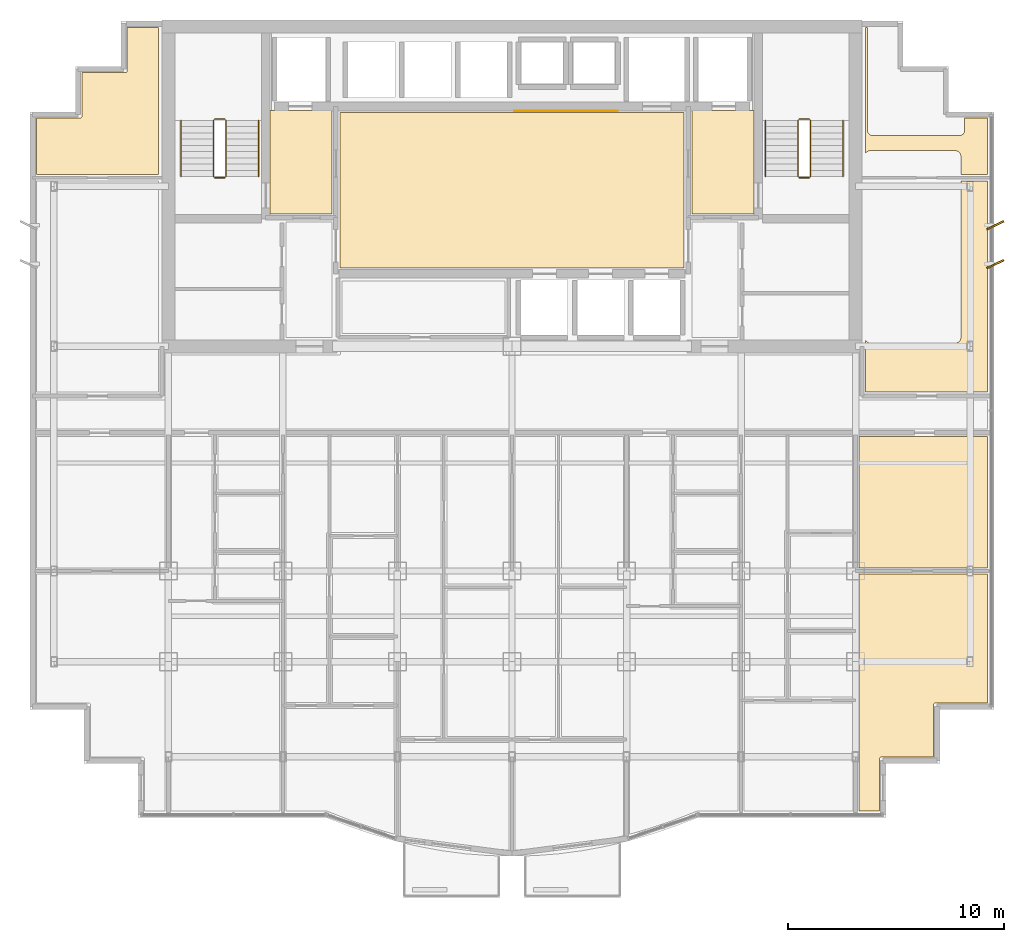
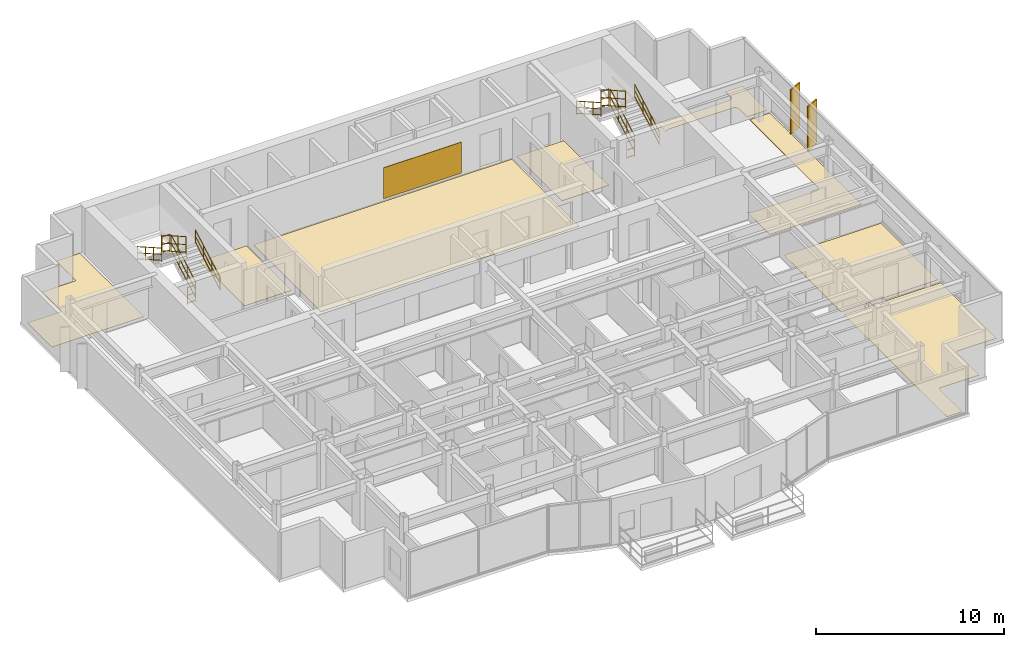
# One storey, part 13 of 13: 12 railings, 9 coverings, 2 shading devices.
"""IFC4 building model written with IfcOpenShell, lengths in metres."""

from ifc_helpers import new_model, si_unit, direction, frame, origin, origin_2d, place, context, subcontext, project, spatial, polyline, rectangle, circle, outline, extrude, source, transform, mapped, material, layer, layer_set, type_object, element, save


model = new_model("IFC4")

# Units and contexts
model_context = context("Model", 3, precision=1e-05, world=origin(), true_north=direction((0.0, 1.0)))
body_context = subcontext(model_context, "Body", "Model", "MODEL_VIEW")
ifc_project = project(units=[si_unit("LENGTHUNIT", "METRE"), si_unit("AREAUNIT", "SQUARE_METRE"), si_unit("VOLUMEUNIT", "CUBIC_METRE"), si_unit("PLANEANGLEUNIT", "RADIAN"), si_unit("MASSUNIT", "GRAM", prefix="KILO")], contexts=[model_context])

# Site, building, storey
site_placement = place(None, origin())
site = spatial("IfcSite", under=ifc_project, at=site_placement, CompositionType="ELEMENT")
building_placement = place(site_placement, origin())
building = spatial("IfcBuilding", under=site, at=building_placement, Name="Qianlan Lanfeng Residences", CompositionType="ELEMENT")
storey_placement = place(building_placement, frame((0.0, 0.0, 182.10009765625)))
storey = spatial("IfcBuildingStorey", under=building, at=storey_placement, Name="L50", CompositionType="ELEMENT", Elevation=182.10009765625)

# Coverings
ifc_material_1 = material(Name="Anodised Bronze Feature Wall Cladding")
ifc_layer_1 = layer(ifc_material_1, 0.02490234375)
ifc_layer_set_1 = layer_set([ifc_layer_1], Name="Anodised Bronze Feature Wall Cladding")
covering_type_1 = type_object("IfcCoveringType", Name="CLD-BRZ-25", PredefinedType="CLADDING", material=ifc_layer_set_1)
covering_1_placement = place(storey_placement, frame((0.0, 0.0, 0.14990234375)))
element("IfcCovering", 1, at=covering_1_placement, inside=storey, type_object=covering_type_1, Name="L50 Lift Lobby Bronze Feature Cladding", PredefinedType="CLADDING", context=body_context, shape_type="SweptSolid", body=[
    extrude(outline(polyline([(26.60009765625, 36.074951171875), (31.39990234375, 36.074951171875), (31.39990234375, 36.10009765625), (26.60009765625, 36.10009765625), (26.60009765625, 36.074951171875)])), origin(), (0.0, 0.0, 1.0), 2.02001953125),
])
ifc_material_2 = material(Name="Honed Taitung Granite Stone Flooring", Category="masonry")
ifc_layer_2 = layer(ifc_material_2, 0.030029296875)
ifc_layer_set_2 = layer_set([ifc_layer_2], Name="Honed Taitung Granite Stone Flooring")
covering_type_2 = type_object("IfcCoveringType", Name="FLR-STN-30", PredefinedType="FLOORING", material=ifc_layer_set_2)
covering_2_placement = place(storey_placement, origin())
element("IfcCovering", 2, at=covering_2_placement, inside=storey, type_object=covering_type_2, Name="L50 Firefighting Lift Lobby Floor Finish", PredefinedType="FLOORING", context=body_context, shape_type="SweptSolid", body=[
    extrude(outline(polyline([(15.2900390625, 31.320068359375), (18.179931640625, 31.320068359375), (18.179931640625, 36.110107421875), (15.2900390625, 36.110107421875), (15.2900390625, 31.320068359375)])), origin(), (0.0, 0.0, 1.0), 0.02978515625),
])
covering_3_placement = place(storey_placement, origin())
element("IfcCovering", 3, at=covering_3_placement, inside=storey, type_object=covering_type_2, Name="L50 Firefighting Lift Lobby Floor Finish", PredefinedType="FLOORING", context=body_context, shape_type="SweptSolid", body=[
    extrude(outline(polyline([(34.820068359375, 31.320068359375), (37.7099609375, 31.320068359375), (37.7099609375, 36.110107421875), (34.820068359375, 36.110107421875), (34.820068359375, 31.320068359375)])), origin(), (0.0, 0.0, 1.0), 0.02978515625),
])
covering_4_placement = place(storey_placement, origin())
element("IfcCovering", 4, at=covering_4_placement, inside=storey, type_object=covering_type_2, Name="L50 Lift Lobby Floor Finish", PredefinedType="FLOORING", context=body_context, shape_type="SweptSolid", body=[
    extrude(outline(polyline([(18.550048828125, 28.820068359375), (34.449951171875, 28.820068359375), (34.449951171875, 36.010009765625), (18.550048828125, 36.010009765625), (18.550048828125, 28.820068359375)])), origin(), (0.0, 0.0, 1.0), 0.02978515625),
])
ifc_material_3 = material(Name="Engineered Smoked Oak Timber Flooring", Category="wood")
ifc_layer_3 = layer(ifc_material_3, 0.02197265625)
ifc_layer_set_3 = layer_set([ifc_layer_3], Name="Engineered Smoked Oak Timber Flooring")
covering_type_3 = type_object("IfcCoveringType", Name="FLR-TIM-22", PredefinedType="FLOORING", material=ifc_layer_set_3)
covering_5_placement = place(storey_placement, origin())
element("IfcCovering", 5, at=covering_5_placement, inside=storey, type_object=covering_type_3, Name="L50 Sunroom Floor Finish", PredefinedType="FLOORING", context=body_context, shape_type="SweptSolid", body=[
    extrude(outline(polyline([(48.510009765625, 14.64990234375), (42.56005859375, 14.64990234375), (42.56005859375, 3.68994140625), (43.510009765625, 3.68994140625), (43.510009765625, 6.1201171875), (43.510009765625, 6.126953125), (43.510986328125, 6.134033203125), (43.512939453125, 6.139892578125), (43.514892578125, 6.14697265625), (43.51806640625, 6.153076171875), (43.52197265625, 6.158935546875), (43.52587890625, 6.1640625), (43.531005859375, 6.1689453125), (43.535888671875, 6.174072265625), (43.541015625, 6.177978515625), (43.547119140625, 6.181884765625), (43.552978515625, 6.18505859375), (43.56005859375, 6.18701171875), (43.56591796875, 6.18896484375), (43.572998046875, 6.18994140625), (43.580078125, 6.18994140625), (46.010009765625, 6.18994140625), (46.010009765625, 8.6201171875), (46.010009765625, 8.626953125), (46.010986328125, 8.634033203125), (46.012939453125, 8.639892578125), (46.014892578125, 8.64697265625), (46.01806640625, 8.653076171875), (46.02197265625, 8.658935546875), (46.02587890625, 8.6640625), (46.031005859375, 8.6689453125), (46.035888671875, 8.674072265625), (46.041015625, 8.677978515625), (46.047119140625, 8.681884765625), (46.052978515625, 8.68505859375), (46.06005859375, 8.68701171875), (46.06591796875, 8.68896484375), (46.072998046875, 8.68994140625), (46.080078125, 8.68994140625), (48.510009765625, 8.68994140625), (48.510009765625, 14.64990234375)])), origin(), (0.0, 0.0, 1.0), 0.02197265625),
])
covering_6_placement = place(storey_placement, origin())
element("IfcCovering", 6, at=covering_6_placement, inside=storey, type_object=covering_type_3, Name="L50 Private Study Floor Finish", PredefinedType="FLOORING", context=body_context, shape_type="SweptSolid", body=[
    extrude(outline(polyline([(48.510009765625, 21.030029296875), (42.56005859375, 21.030029296875), (42.56005859375, 14.949951171875), (48.510009765625, 14.949951171875), (48.510009765625, 21.030029296875)])), origin(), (0.0, 0.0, 1.0), 0.02197265625),
])
covering_7_placement = place(storey_placement, origin())
element("IfcCovering", 7, at=covering_7_placement, inside=storey, type_object=covering_type_3, Name="L50 Resident Lounge Floor Finish", PredefinedType="FLOORING", context=body_context, shape_type="SweptSolid", body=[
    extrude(outline(polyline([(4.489990234375, 33.14990234375), (10.14990234375, 33.14990234375), (10.14990234375, 39.9599609375), (8.68994140625, 39.9599609375), (8.68994140625, 37.929931640625), (8.68994140625, 37.923095703125), (8.68896484375, 37.916015625), (8.68701171875, 37.909912109375), (8.68505859375, 37.903076171875), (8.681884765625, 37.89697265625), (8.677978515625, 37.89111328125), (8.674072265625, 37.885986328125), (8.6689453125, 37.881103515625), (8.6640625, 37.8759765625), (8.658935546875, 37.8720703125), (8.653076171875, 37.867919921875), (8.64697265625, 37.864990234375), (8.639892578125, 37.863037109375), (8.634033203125, 37.861083984375), (8.626953125, 37.860107421875), (8.6201171875, 37.860107421875), (6.590087890625, 37.860107421875), (6.590087890625, 35.830078125), (6.590087890625, 35.822998046875), (6.589111328125, 35.81591796875), (6.5869140625, 35.81005859375), (6.5849609375, 35.802978515625), (6.58203125, 35.797119140625), (6.577880859375, 35.791015625), (6.573974609375, 35.785888671875), (6.569091796875, 35.781005859375), (6.56396484375, 35.77587890625), (6.55908203125, 35.77197265625), (6.552978515625, 35.76806640625), (6.547119140625, 35.764892578125), (6.5400390625, 35.762939453125), (6.533935546875, 35.760986328125), (6.527099609375, 35.760009765625), (6.52001953125, 35.760009765625), (4.489990234375, 35.760009765625), (4.489990234375, 33.14990234375)])), origin(), (0.0, 0.0, 1.0), 0.02197265625),
])
covering_8_placement = place(storey_placement, origin())
element("IfcCovering", 8, at=covering_8_placement, inside=storey, type_object=covering_type_3, Name="L50 Conservatory Salon Floor Finish", PredefinedType="FLOORING", context=body_context, shape_type="SweptSolid", body=[
    extrude(outline(polyline([(48.510009765625, 32.85009765625), (47.27001953125, 32.85009765625), (47.27001953125, 25.60009765625), (47.26904296875, 25.574951171875), (47.264892578125, 25.551025390625), (47.259033203125, 25.527099609375), (47.2509765625, 25.50390625), (47.239990234375, 25.48193359375), (47.22802734375, 25.4609375), (47.212890625, 25.44091796875), (47.197021484375, 25.423095703125), (47.178955078125, 25.406982421875), (47.158935546875, 25.39208984375), (47.137939453125, 25.3798828125), (47.115966796875, 25.368896484375), (47.093017578125, 25.361083984375), (47.069091796875, 25.35498046875), (47.044921875, 25.35107421875), (47.02001953125, 25.35009765625), (43.080078125, 25.35009765625), (43.054931640625, 25.35107421875), (43.031005859375, 25.35498046875), (43.007080078125, 25.361083984375), (42.98388671875, 25.368896484375), (42.9619140625, 25.3798828125), (42.94091796875, 25.39208984375), (42.9208984375, 25.406982421875), (42.903076171875, 25.423095703125), (42.886962890625, 25.44091796875), (42.8720703125, 25.4609375), (42.860107421875, 25.48193359375), (42.85009765625, 25.501953125), (42.85009765625, 23.080078125), (48.510009765625, 23.080078125), (48.510009765625, 32.85009765625)])), origin(), (0.0, 0.0, 1.0), 0.02197265625),
])
covering_9_placement = place(storey_placement, origin())
element("IfcCovering", 9, at=covering_9_placement, inside=storey, type_object=covering_type_3, Name="L50 Resident Lounge Floor Finish", PredefinedType="FLOORING", context=body_context, shape_type="SweptSolid", body=[
    extrude(outline(polyline([(42.85009765625, 34.097900390625), (42.860107421875, 34.117919921875), (42.8720703125, 34.138916015625), (42.886962890625, 34.158935546875), (42.903076171875, 34.177001953125), (42.9208984375, 34.193115234375), (42.94091796875, 34.2080078125), (42.9619140625, 34.219970703125), (42.98388671875, 34.23095703125), (43.007080078125, 34.239013671875), (43.031005859375, 34.2451171875), (43.054931640625, 34.2490234375), (43.080078125, 34.25), (47.02001953125, 34.25), (47.044921875, 34.2490234375), (47.069091796875, 34.2451171875), (47.093017578125, 34.239013671875), (47.115966796875, 34.23095703125), (47.137939453125, 34.219970703125), (47.158935546875, 34.2080078125), (47.178955078125, 34.193115234375), (47.197021484375, 34.177001953125), (47.212890625, 34.158935546875), (47.22802734375, 34.138916015625), (47.239990234375, 34.117919921875), (47.2509765625, 34.095947265625), (47.259033203125, 34.072998046875), (47.264892578125, 34.049072265625), (47.26904296875, 34.02490234375), (47.27001953125, 34.0), (47.27001953125, 33.14990234375), (48.510009765625, 33.14990234375), (48.510009765625, 35.760009765625), (47.449951171875, 35.760009765625), (47.449951171875, 35.199951171875), (47.448974609375, 35.175048828125), (47.445068359375, 35.15087890625), (47.43896484375, 35.126953125), (47.430908203125, 35.10400390625), (47.419921875, 35.08203125), (47.407958984375, 35.06103515625), (47.39306640625, 35.041015625), (47.376953125, 35.02294921875), (47.35888671875, 35.007080078125), (47.339111328125, 34.991943359375), (47.318115234375, 34.97998046875), (47.2958984375, 34.968994140625), (47.27294921875, 34.9609375), (47.2490234375, 34.955078125), (47.22509765625, 34.950927734375), (47.199951171875, 34.949951171875), (43.199951171875, 34.949951171875), (43.175048828125, 34.950927734375), (43.15087890625, 34.955078125), (43.126953125, 34.9609375), (43.10400390625, 34.968994140625), (43.08203125, 34.97998046875), (43.06103515625, 34.991943359375), (43.041015625, 35.007080078125), (43.02294921875, 35.02294921875), (43.007080078125, 35.041015625), (42.991943359375, 35.06103515625), (42.97998046875, 35.08203125), (42.968994140625, 35.10400390625), (42.9609375, 35.126953125), (42.955078125, 35.15087890625), (42.950927734375, 35.175048828125), (42.949951171875, 35.199951171875), (42.949951171875, 39.9599609375), (42.85009765625, 39.9599609375), (42.85009765625, 34.097900390625)])), origin(), (0.0, 0.0, 1.0), 0.02197265625),
])

# Railings
ifc_material_4 = material(Name="Painted Galvanised Steel Guardrail", Category="steel")
railing_type_1 = type_object("IfcRailingType", Name="GR-ST-1120", PredefinedType="GUARDRAIL", material=ifc_material_4)
railing_1_placement = place(storey_placement, frame((13.27001953125, 33.050048828125, 0.164794921875)))
element("IfcRailing", 10, at=railing_1_placement, inside=storey, type_object=railing_type_1, Name="L50 ST-1 stair guard 1", PredefinedType="GUARDRAIL", context=body_context, shape_type="SweptSolid", body=[
    extrude(circle(Radius=0.02392578125, at=origin_2d()), frame((0.0, 0.0, 0.083984375), z_axis=(0.0, 0.869137319866, 0.494570843475), x_axis=(-1.0, 0.0, 0.0)), (0.0, 0.0, 1.0), 3.0029296875),
    extrude(circle(Radius=0.02392578125, at=origin_2d()), frame((0.0, 0.0, 0.58251953125), z_axis=(0.0, 0.869137319866, 0.494570843475), x_axis=(-1.0, 0.0, 0.0)), (0.0, 0.0, 1.0), 3.0029296875),
    extrude(circle(Radius=0.02392578125, at=origin_2d()), frame((0.0, 0.0, 1.09619140625), z_axis=(0.0, 0.869137319866, 0.494570843475), x_axis=(-1.0, 0.0, 0.0)), (0.0, 0.0, 1.0), 3.0029296875),
    extrude(circle(Radius=0.02099609375, at=origin_2d()), origin(), (0.0, 0.0, 1.0), 1.072021484375),
    extrude(circle(Radius=0.02099609375, at=origin_2d()), frame((0.0, 0.869873046875, 0.4951171875)), (0.0, 0.0, 1.0), 1.072021484375),
    extrude(circle(Radius=0.02099609375, at=origin_2d()), frame((0.0, 1.739990234375, 0.989990234375)), (0.0, 0.0, 1.0), 1.072021484375),
    extrude(circle(Radius=0.02099609375, at=origin_2d()), frame((0.0, 2.60986328125, 1.485107421875)), (0.0, 0.0, 1.0), 1.072021484375),
])
railing_2_placement = place(storey_placement, frame((13.219970703125, 35.7099609375, 1.64990234375)))
element("IfcRailing", 11, at=railing_2_placement, inside=storey, type_object=railing_type_1, Name="L50 ST-1 stair guard 2", PredefinedType="GUARDRAIL", context=body_context, shape_type="SweptSolid", body=[
    extrude(circle(Radius=0.02392578125, at=origin_2d()), frame((0.0, 0.0, 0.083984375), z_axis=(-1.0, 0.0, 0.0), x_axis=(0.0, -1.0, 0.0)), (0.0, 0.0, 1.0), 0.47998046875),
    extrude(circle(Radius=0.02392578125, at=origin_2d()), frame((0.0, 0.0, 0.58251953125), z_axis=(-1.0, 0.0, 0.0), x_axis=(0.0, -1.0, 0.0)), (0.0, 0.0, 1.0), 0.47998046875),
    extrude(circle(Radius=0.02392578125, at=origin_2d()), frame((0.0, 0.0, 1.09619140625), z_axis=(-1.0, 0.0, 0.0), x_axis=(0.0, -1.0, 0.0)), (0.0, 0.0, 1.0), 0.47998046875),
    extrude(circle(Radius=0.02099609375, at=origin_2d()), origin(), (0.0, 0.0, 1.0), 1.072021484375),
    extrude(circle(Radius=0.02099609375, at=origin_2d()), frame((-0.47998046875, 0.0, 0.0)), (0.0, 0.0, 1.0), 1.072021484375),
])
railing_3_placement = place(storey_placement, frame((12.68994140625, 35.659912109375, 1.81494140625)))
element("IfcRailing", 12, at=railing_3_placement, inside=storey, type_object=railing_type_1, Name="L50 ST-1 stair guard 3", PredefinedType="GUARDRAIL", context=body_context, shape_type="SweptSolid", body=[
    extrude(circle(Radius=0.02392578125, at=origin_2d()), frame((0.0, 0.0, 0.083984375), z_axis=(0.0, -0.869172267526, 0.494509422927), x_axis=(1.0, 0.0, 0.0)), (0.0, 0.0, 1.0), 3.002685546875),
    extrude(circle(Radius=0.02392578125, at=origin_2d()), frame((0.0, 0.0, 0.58251953125), z_axis=(0.0, -0.869172267526, 0.494509422927), x_axis=(1.0, 0.0, 0.0)), (0.0, 0.0, 1.0), 3.002685546875),
    extrude(circle(Radius=0.02392578125, at=origin_2d()), frame((0.0, 0.0, 1.09619140625), z_axis=(0.0, -0.869172267526, 0.494509422927), x_axis=(1.0, 0.0, 0.0)), (0.0, 0.0, 1.0), 3.002685546875),
    extrude(circle(Radius=0.02099609375, at=origin_2d()), origin(), (0.0, 0.0, 1.0), 1.072021484375),
    extrude(circle(Radius=0.02099609375, at=origin_2d()), frame((0.0, -0.869873046875, 0.494873046875)), (0.0, 0.0, 1.0), 1.072021484375),
    extrude(circle(Radius=0.02099609375, at=origin_2d()), frame((0.0, -1.739990234375, 0.989990234375)), (0.0, 0.0, 1.0), 1.072021484375),
    extrude(circle(Radius=0.02099609375, at=origin_2d()), frame((0.0, -2.60986328125, 1.48486328125)), (0.0, 0.0, 1.0), 1.072021484375),
])
railing_4_placement = place(storey_placement, frame((13.219970703125, 33.0, 0.0)))
element("IfcRailing", 13, at=railing_4_placement, inside=storey, type_object=railing_type_1, Name="L50 ST-1 stair guard 4", PredefinedType="GUARDRAIL", context=body_context, shape_type="SweptSolid", body=[
    extrude(circle(Radius=0.02392578125, at=origin_2d()), frame((0.0, 0.0, 0.083984375), z_axis=(-1.0, 0.0, 0.0), x_axis=(0.0, -1.0, 0.0)), (0.0, 0.0, 1.0), 0.47998046875),
    extrude(circle(Radius=0.02392578125, at=origin_2d()), frame((0.0, 0.0, 0.58251953125), z_axis=(-1.0, 0.0, 0.0), x_axis=(0.0, -1.0, 0.0)), (0.0, 0.0, 1.0), 0.47998046875),
    extrude(circle(Radius=0.02392578125, at=origin_2d()), frame((0.0, 0.0, 1.09619140625), z_axis=(-1.0, 0.0, 0.0), x_axis=(0.0, -1.0, 0.0)), (0.0, 0.0, 1.0), 0.47998046875),
    extrude(circle(Radius=0.02099609375, at=origin_2d()), origin(), (0.0, 0.0, 1.0), 1.072021484375),
    extrude(circle(Radius=0.02099609375, at=origin_2d()), frame((-0.47998046875, 0.0, 0.0)), (0.0, 0.0, 1.0), 1.072021484375),
])
railing_5_placement = place(storey_placement, frame((40.31005859375, 33.050048828125, 0.164794921875)))
element("IfcRailing", 14, at=railing_5_placement, inside=storey, type_object=railing_type_1, Name="L50 ST-2 stair guard 1", PredefinedType="GUARDRAIL", context=body_context, shape_type="SweptSolid", body=[
    extrude(circle(Radius=0.02392578125, at=origin_2d()), frame((0.0, 0.0, 0.083984375), z_axis=(0.0, 0.869137319866, 0.494570843475), x_axis=(-1.0, 0.0, 0.0)), (0.0, 0.0, 1.0), 3.0029296875),
    extrude(circle(Radius=0.02392578125, at=origin_2d()), frame((0.0, 0.0, 0.58251953125), z_axis=(0.0, 0.869137319866, 0.494570843475), x_axis=(-1.0, 0.0, 0.0)), (0.0, 0.0, 1.0), 3.0029296875),
    extrude(circle(Radius=0.02392578125, at=origin_2d()), frame((0.0, 0.0, 1.09619140625), z_axis=(0.0, 0.869137319866, 0.494570843475), x_axis=(-1.0, 0.0, 0.0)), (0.0, 0.0, 1.0), 3.0029296875),
    extrude(circle(Radius=0.02099609375, at=origin_2d()), origin(), (0.0, 0.0, 1.0), 1.072021484375),
    extrude(circle(Radius=0.02099609375, at=origin_2d()), frame((0.0, 0.869873046875, 0.4951171875)), (0.0, 0.0, 1.0), 1.072021484375),
    extrude(circle(Radius=0.02099609375, at=origin_2d()), frame((0.0, 1.739990234375, 0.989990234375)), (0.0, 0.0, 1.0), 1.072021484375),
    extrude(circle(Radius=0.02099609375, at=origin_2d()), frame((0.0, 2.60986328125, 1.485107421875)), (0.0, 0.0, 1.0), 1.072021484375),
])
railing_6_placement = place(storey_placement, frame((40.260009765625, 35.7099609375, 1.64990234375)))
element("IfcRailing", 15, at=railing_6_placement, inside=storey, type_object=railing_type_1, Name="L50 ST-2 stair guard 2", PredefinedType="GUARDRAIL", context=body_context, shape_type="SweptSolid", body=[
    extrude(circle(Radius=0.02392578125, at=origin_2d()), frame((0.0, 0.0, 0.083984375), z_axis=(-1.0, 0.0, 0.0), x_axis=(0.0, -1.0, 0.0)), (0.0, 0.0, 1.0), 0.47998046875),
    extrude(circle(Radius=0.02392578125, at=origin_2d()), frame((0.0, 0.0, 0.58251953125), z_axis=(-1.0, 0.0, 0.0), x_axis=(0.0, -1.0, 0.0)), (0.0, 0.0, 1.0), 0.47998046875),
    extrude(circle(Radius=0.02392578125, at=origin_2d()), frame((0.0, 0.0, 1.09619140625), z_axis=(-1.0, 0.0, 0.0), x_axis=(0.0, -1.0, 0.0)), (0.0, 0.0, 1.0), 0.47998046875),
    extrude(circle(Radius=0.02099609375, at=origin_2d()), origin(), (0.0, 0.0, 1.0), 1.072021484375),
    extrude(circle(Radius=0.02099609375, at=origin_2d()), frame((-0.47998046875, 0.0, 0.0)), (0.0, 0.0, 1.0), 1.072021484375),
])
railing_7_placement = place(storey_placement, frame((39.72998046875, 35.659912109375, 1.81494140625)))
element("IfcRailing", 16, at=railing_7_placement, inside=storey, type_object=railing_type_1, Name="L50 ST-2 stair guard 3", PredefinedType="GUARDRAIL", context=body_context, shape_type="SweptSolid", body=[
    extrude(circle(Radius=0.02392578125, at=origin_2d()), frame((0.0, 0.0, 0.083984375), z_axis=(0.0, -0.869172267526, 0.494509422927), x_axis=(1.0, 0.0, 0.0)), (0.0, 0.0, 1.0), 3.002685546875),
    extrude(circle(Radius=0.02392578125, at=origin_2d()), frame((0.0, 0.0, 0.58251953125), z_axis=(0.0, -0.869172267526, 0.494509422927), x_axis=(1.0, 0.0, 0.0)), (0.0, 0.0, 1.0), 3.002685546875),
    extrude(circle(Radius=0.02392578125, at=origin_2d()), frame((0.0, 0.0, 1.09619140625), z_axis=(0.0, -0.869172267526, 0.494509422927), x_axis=(1.0, 0.0, 0.0)), (0.0, 0.0, 1.0), 3.002685546875),
    extrude(circle(Radius=0.02099609375, at=origin_2d()), origin(), (0.0, 0.0, 1.0), 1.072021484375),
    extrude(circle(Radius=0.02099609375, at=origin_2d()), frame((0.0, -0.869873046875, 0.494873046875)), (0.0, 0.0, 1.0), 1.072021484375),
    extrude(circle(Radius=0.02099609375, at=origin_2d()), frame((0.0, -1.739990234375, 0.989990234375)), (0.0, 0.0, 1.0), 1.072021484375),
    extrude(circle(Radius=0.02099609375, at=origin_2d()), frame((0.0, -2.60986328125, 1.48486328125)), (0.0, 0.0, 1.0), 1.072021484375),
])
railing_8_placement = place(storey_placement, frame((40.260009765625, 33.0, 0.0)))
element("IfcRailing", 17, at=railing_8_placement, inside=storey, type_object=railing_type_1, Name="L50 ST-2 stair guard 4", PredefinedType="GUARDRAIL", context=body_context, shape_type="SweptSolid", body=[
    extrude(circle(Radius=0.02392578125, at=origin_2d()), frame((0.0, 0.0, 0.083984375), z_axis=(-1.0, 0.0, 0.0), x_axis=(0.0, -1.0, 0.0)), (0.0, 0.0, 1.0), 0.47998046875),
    extrude(circle(Radius=0.02392578125, at=origin_2d()), frame((0.0, 0.0, 0.58251953125), z_axis=(-1.0, 0.0, 0.0), x_axis=(0.0, -1.0, 0.0)), (0.0, 0.0, 1.0), 0.47998046875),
    extrude(circle(Radius=0.02392578125, at=origin_2d()), frame((0.0, 0.0, 1.09619140625), z_axis=(-1.0, 0.0, 0.0), x_axis=(0.0, -1.0, 0.0)), (0.0, 0.0, 1.0), 0.47998046875),
    extrude(circle(Radius=0.02099609375, at=origin_2d()), origin(), (0.0, 0.0, 1.0), 1.072021484375),
    extrude(circle(Radius=0.02099609375, at=origin_2d()), frame((-0.47998046875, 0.0, 0.0)), (0.0, 0.0, 1.0), 1.072021484375),
])
ifc_material_5 = material(Name="Brushed Stainless Steel Handrail", Category="steel")
railing_type_2 = type_object("IfcRailingType", Name="HR-ST-920", PredefinedType="HANDRAIL", material=ifc_material_5)
railing_9_placement = place(storey_placement, frame((14.77001953125, 33.050048828125, 0.164794921875)))
element("IfcRailing", 18, at=railing_9_placement, inside=storey, type_object=railing_type_2, Name="L50 ST-1 stair handrail 1", PredefinedType="HANDRAIL", context=body_context, shape_type="SweptSolid", body=[
    extrude(circle(Radius=0.02392578125, at=origin_2d()), frame((0.0, 0.0, 0.083984375), z_axis=(0.0, 0.869137319866, 0.494570843475), x_axis=(-1.0, 0.0, 0.0)), (0.0, 0.0, 1.0), 3.0029296875),
    extrude(circle(Radius=0.02392578125, at=origin_2d()), frame((0.0, 0.0, 0.468017578125), z_axis=(0.0, 0.869137319866, 0.494570843475), x_axis=(-1.0, 0.0, 0.0)), (0.0, 0.0, 1.0), 3.0029296875),
    extrude(circle(Radius=0.02392578125, at=origin_2d()), frame((0.0, 0.0, 0.8759765625), z_axis=(0.0, 0.869137319866, 0.494570843475), x_axis=(-1.0, 0.0, 0.0)), (0.0, 0.0, 1.0), 3.0029296875),
    extrude(circle(Radius=0.02099609375, at=origin_2d()), origin(), (0.0, 0.0, 1.0), 0.851806640625),
    extrude(circle(Radius=0.02099609375, at=origin_2d()), frame((0.0, 0.869873046875, 0.4951171875)), (0.0, 0.0, 1.0), 0.851806640625),
    extrude(circle(Radius=0.02099609375, at=origin_2d()), frame((0.0, 1.739990234375, 0.989990234375)), (0.0, 0.0, 1.0), 0.851806640625),
    extrude(circle(Radius=0.02099609375, at=origin_2d()), frame((0.0, 2.60986328125, 1.485107421875)), (0.0, 0.0, 1.0), 0.851806640625),
])
railing_10_placement = place(storey_placement, frame((11.18994140625, 35.659912109375, 1.81494140625)))
element("IfcRailing", 19, at=railing_10_placement, inside=storey, type_object=railing_type_2, Name="L50 ST-1 stair handrail 2", PredefinedType="HANDRAIL", context=body_context, shape_type="SweptSolid", body=[
    extrude(circle(Radius=0.02392578125, at=origin_2d()), frame((0.0, 0.0, 0.083984375), z_axis=(0.0, -0.869172267526, 0.494509422927), x_axis=(1.0, 0.0, 0.0)), (0.0, 0.0, 1.0), 3.002685546875),
    extrude(circle(Radius=0.02392578125, at=origin_2d()), frame((0.0, 0.0, 0.468017578125), z_axis=(0.0, -0.869172267526, 0.494509422927), x_axis=(1.0, 0.0, 0.0)), (0.0, 0.0, 1.0), 3.002685546875),
    extrude(circle(Radius=0.02392578125, at=origin_2d()), frame((0.0, 0.0, 0.8759765625), z_axis=(0.0, -0.869172267526, 0.494509422927), x_axis=(1.0, 0.0, 0.0)), (0.0, 0.0, 1.0), 3.002685546875),
    extrude(circle(Radius=0.02099609375, at=origin_2d()), origin(), (0.0, 0.0, 1.0), 0.851806640625),
    extrude(circle(Radius=0.02099609375, at=origin_2d()), frame((0.0, -0.869873046875, 0.494873046875)), (0.0, 0.0, 1.0), 0.851806640625),
    extrude(circle(Radius=0.02099609375, at=origin_2d()), frame((0.0, -1.739990234375, 0.989990234375)), (0.0, 0.0, 1.0), 0.851806640625),
    extrude(circle(Radius=0.02099609375, at=origin_2d()), frame((0.0, -2.60986328125, 1.48486328125)), (0.0, 0.0, 1.0), 0.851806640625),
])
railing_11_placement = place(storey_placement, frame((41.81005859375, 33.050048828125, 0.164794921875)))
element("IfcRailing", 20, at=railing_11_placement, inside=storey, type_object=railing_type_2, Name="L50 ST-2 stair handrail 1", PredefinedType="HANDRAIL", context=body_context, shape_type="SweptSolid", body=[
    extrude(circle(Radius=0.02392578125, at=origin_2d()), frame((0.0, 0.0, 0.083984375), z_axis=(0.0, 0.869137319866, 0.494570843475), x_axis=(-1.0, 0.0, 0.0)), (0.0, 0.0, 1.0), 3.0029296875),
    extrude(circle(Radius=0.02392578125, at=origin_2d()), frame((0.0, 0.0, 0.468017578125), z_axis=(0.0, 0.869137319866, 0.494570843475), x_axis=(-1.0, 0.0, 0.0)), (0.0, 0.0, 1.0), 3.0029296875),
    extrude(circle(Radius=0.02392578125, at=origin_2d()), frame((0.0, 0.0, 0.8759765625), z_axis=(0.0, 0.869137319866, 0.494570843475), x_axis=(-1.0, 0.0, 0.0)), (0.0, 0.0, 1.0), 3.0029296875),
    extrude(circle(Radius=0.02099609375, at=origin_2d()), origin(), (0.0, 0.0, 1.0), 0.851806640625),
    extrude(circle(Radius=0.02099609375, at=origin_2d()), frame((0.0, 0.869873046875, 0.4951171875)), (0.0, 0.0, 1.0), 0.851806640625),
    extrude(circle(Radius=0.02099609375, at=origin_2d()), frame((0.0, 1.739990234375, 0.989990234375)), (0.0, 0.0, 1.0), 0.851806640625),
    extrude(circle(Radius=0.02099609375, at=origin_2d()), frame((0.0, 2.60986328125, 1.485107421875)), (0.0, 0.0, 1.0), 0.851806640625),
])
railing_12_placement = place(storey_placement, frame((38.22998046875, 35.659912109375, 1.81494140625)))
element("IfcRailing", 21, at=railing_12_placement, inside=storey, type_object=railing_type_2, Name="L50 ST-2 stair handrail 2", PredefinedType="HANDRAIL", context=body_context, shape_type="SweptSolid", body=[
    extrude(circle(Radius=0.02392578125, at=origin_2d()), frame((0.0, 0.0, 0.083984375), z_axis=(0.0, -0.869172267526, 0.494509422927), x_axis=(1.0, 0.0, 0.0)), (0.0, 0.0, 1.0), 3.002685546875),
    extrude(circle(Radius=0.02392578125, at=origin_2d()), frame((0.0, 0.0, 0.468017578125), z_axis=(0.0, -0.869172267526, 0.494509422927), x_axis=(1.0, 0.0, 0.0)), (0.0, 0.0, 1.0), 3.002685546875),
    extrude(circle(Radius=0.02392578125, at=origin_2d()), frame((0.0, 0.0, 0.8759765625), z_axis=(0.0, -0.869172267526, 0.494509422927), x_axis=(1.0, 0.0, 0.0)), (0.0, 0.0, 1.0), 3.002685546875),
    extrude(circle(Radius=0.02099609375, at=origin_2d()), origin(), (0.0, 0.0, 1.0), 0.851806640625),
    extrude(circle(Radius=0.02099609375, at=origin_2d()), frame((0.0, -0.869873046875, 0.494873046875)), (0.0, 0.0, 1.0), 0.851806640625),
    extrude(circle(Radius=0.02099609375, at=origin_2d()), frame((0.0, -1.739990234375, 0.989990234375)), (0.0, 0.0, 1.0), 0.851806640625),
    extrude(circle(Radius=0.02099609375, at=origin_2d()), frame((0.0, -2.60986328125, 1.48486328125)), (0.0, 0.0, 1.0), 0.851806640625),
])

# Shading devices
ifc_material_6 = material(Name="Anodised Bronze Aluminium Solar Fin", Category="aluminium")
shading_device_type = type_object("IfcShadingDeviceType", Name="FIN-BRZ-850", PredefinedType="SHUTTER", material=ifc_material_6)
shared_shape = source(origin(), body_context, "Body", "SweptSolid", [
    extrude(rectangle(XDim=0.85009765625, YDim=0.080078125, at=origin_2d()), origin(), (0.0, 0.0, 1.0), 2.89990234375),
])
for number, where, z_axis, x_axis, name in (
    (22, (48.8701171875, 29.0, 0.0), (0.0, 0.0, 1.0), (0.898794046299, 0.438371146789, 0.0), "L50 Raked Bronze Solar Fin E1"),
    (23, (48.8701171875, 30.800048828125, 0.0), (0.0, 0.0, 1.0), (0.898794046299, 0.438371146789, 0.0), "L50 Raked Bronze Solar Fin E2"),
):
    element("IfcShadingDevice", number, at=place(storey_placement, frame(where, z_axis=z_axis, x_axis=x_axis)), inside=storey, type_object=shading_device_type, Name=name, PredefinedType="SHUTTER", context=body_context, shape_type="MappedRepresentation", body=[
        mapped(shared_shape, transform((0.0, 0.0, 0.0), scale=1.0)),
    ])

save(model, "model.ifc")
